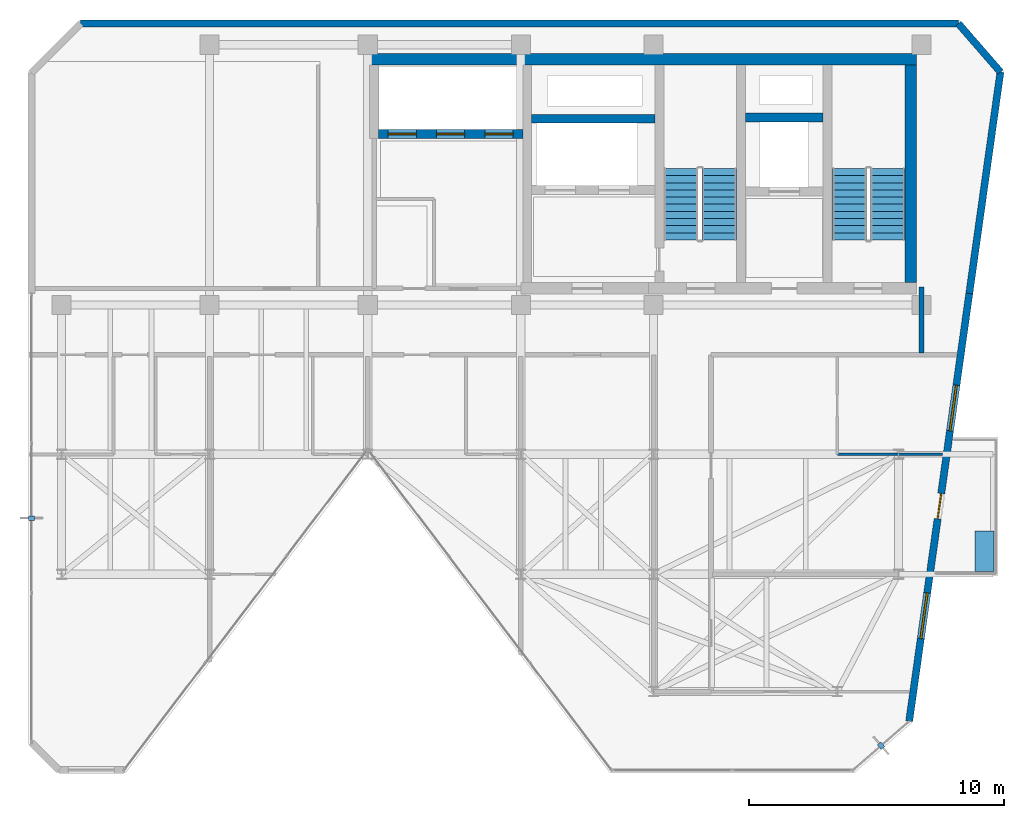
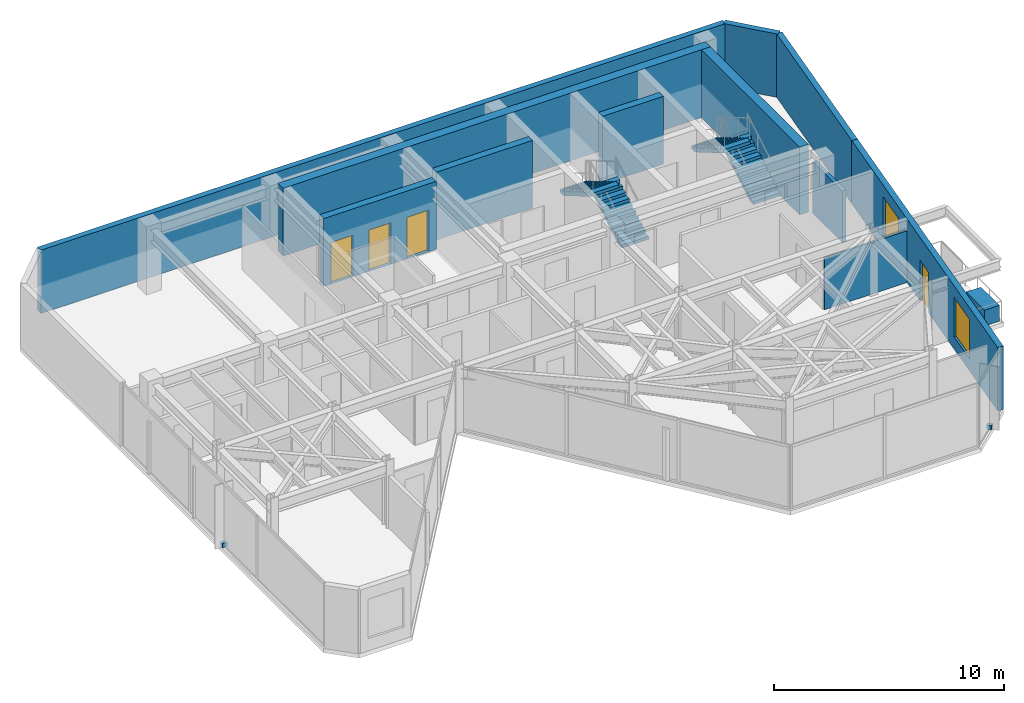
# One storey, part 15 of 17: 11 walls, 4 doors, 4 stair flights, 3 discrete accessories, 2 windows, 6 openings, 2 elements without a shape of their own.
"""IFC4 building model written with IfcOpenShell, lengths in metres."""

from ifc_helpers import new_model, si_unit, direction, frame, frame_2d, origin, origin_2d, place, context, subcontext, project, spatial, polyline, rectangle, outline, extrude, material, layer, layer_set, type_object, element, fill, aggregate, save


model = new_model("IFC4")

# Units and contexts
model_context = context("Model", 3, precision=1e-05, world=origin(), true_north=direction((0.0, 1.0)))
body_context = subcontext(model_context, "Body", "Model", "MODEL_VIEW")
ifc_project = project(units=[si_unit("LENGTHUNIT", "METRE"), si_unit("AREAUNIT", "SQUARE_METRE"), si_unit("VOLUMEUNIT", "CUBIC_METRE"), si_unit("PLANEANGLEUNIT", "RADIAN"), si_unit("MASSUNIT", "GRAM", prefix="KILO")], contexts=[model_context])

# Site, building, storey
site_placement = place(None, origin())
site = spatial("IfcSite", under=ifc_project, at=site_placement, CompositionType="ELEMENT")
building_placement = place(site_placement, origin())
building = spatial("IfcBuilding", under=site, at=building_placement, Name="Kravanh Interchange Tower", CompositionType="ELEMENT")
storey_placement = place(building_placement, frame((0.0, 0.0, 282.300048828125)))
storey = spatial("IfcBuildingStorey", under=building, at=storey_placement, Name="L69", CompositionType="ELEMENT", Elevation=282.300048828125)

# Walls
ifc_material_1 = material(Name="Concrete C60/75", Category="concrete")
ifc_layer_1 = layer(ifc_material_1, 0.35009765625)
ifc_layer_set_1 = layer_set([ifc_layer_1], Name="Core Shear Wall Concrete C60/75 350mm")
wall_type_1 = type_object("IfcWallType", Name="Core Shear Wall Concrete C60/75 350mm", PredefinedType="SHEAR", material=ifc_layer_set_1)
wall_1_placement = place(storey_placement, frame((59.60009765625, 44.699951171875, 0.0), z_axis=(0.0, 0.0, 1.0), x_axis=(1.0, 0.0, 0.0)))
element("IfcWall", 1, at=wall_1_placement, inside=storey, type_object=wall_type_1, Name="L69 Service Lift Shaft North Wall", PredefinedType="SHEAR", context=body_context, shape_type="SweptSolid", body=[
    extrude(rectangle(XDim=3.0498046875, YDim=0.35009765625, at=frame_2d((1.52490234375, 0.0))), origin(), (0.0, 0.0, 1.0), 3.599853515625),
])
wall_2_placement = place(storey_placement, frame((51.22509765625, 44.64990234375, 0.0), z_axis=(0.0, 0.0, 1.0), x_axis=(1.0, 0.0, 0.0)))
element("IfcWall", 2, at=wall_2_placement, inside=storey, type_object=wall_type_1, Name="L69 Fire Lift Shaft North Wall", PredefinedType="SHEAR", context=body_context, shape_type="SweptSolid", body=[
    extrude(rectangle(XDim=4.824951171875, YDim=0.35009765625, at=frame_2d((2.41259765625, 0.0))), origin(), (0.0, 0.0, 1.0), 3.599853515625),
])

# Wall, openings, doors
wall_3_placement = place(storey_placement, frame((45.22509765625, 44.050048828125, 0.0), z_axis=(0.0, 0.0, 1.0), x_axis=(1.0, 0.0, 0.0)))
wall_3 = element("IfcWall", 3, at=wall_3_placement, inside=storey, type_object=wall_type_1, Name="L69 High-Rise Lift Shaft South Wall", PredefinedType="SHEAR", context=body_context, shape_type="SweptSolid", body=[
    extrude(rectangle(XDim=5.64990234375, YDim=0.35009765625, at=frame_2d((2.824951171875, 0.0))), origin(), (0.0, 0.0, 1.0), 3.599853515625),
])
opening_1_placement = place(wall_3_placement, frame((0.375, 0.0, 0.0)))
opening_1 = element("IfcOpeningElement", 4, at=opening_1_placement, cuts=wall_3, Name="Opening LD01", PredefinedType="OPENING", context=body_context, shape_type="SweptSolid", body=[
    extrude(rectangle(XDim=1.10009765625, YDim=2.199951171875, at=frame_2d((0.550048828125, 1.10009765625))), frame((0.0, 0.18505859375, 0.0), z_axis=(0.0, -1.0, 0.0), x_axis=(1.0, 0.0, 0.0)), (0.0, 0.0, 1.0), 0.3701171875),
])
opening_2_placement = place(wall_3_placement, frame((2.27490234375, 0.0, 0.0)))
opening_2 = element("IfcOpeningElement", 5, at=opening_2_placement, cuts=wall_3, Name="Opening LD01", PredefinedType="OPENING", context=body_context, shape_type="SweptSolid", body=[
    extrude(rectangle(XDim=1.10009765625, YDim=2.199951171875, at=frame_2d((0.550048828125, 1.10009765625))), frame((0.0, 0.18505859375, 0.0), z_axis=(0.0, -1.0, 0.0), x_axis=(1.0, 0.0, 0.0)), (0.0, 0.0, 1.0), 0.3701171875),
])
opening_3_placement = place(wall_3_placement, frame((4.175048828125, 0.0, 0.0)))
opening_3 = element("IfcOpeningElement", 6, at=opening_3_placement, cuts=wall_3, Name="Opening LD01", PredefinedType="OPENING", context=body_context, shape_type="SweptSolid", body=[
    extrude(rectangle(XDim=1.10009765625, YDim=2.199951171875, at=frame_2d((0.550048828125, 1.10009765625))), frame((0.0, 0.18505859375, 0.0), z_axis=(0.0, -1.0, 0.0), x_axis=(1.0, 0.0, 0.0)), (0.0, 0.0, 1.0), 0.3701171875),
])
ifc_material_2 = material(Name="Stainless Steel 304", Category="steel")
door_type_1 = type_object("IfcDoorType", Name="Passenger Lift Sliding Landing Door 1100x2200", OperationType="DOUBLE_DOOR_SLIDING", PredefinedType="DOOR", material=ifc_material_2)
door_1_placement = place(opening_1_placement, origin())
door_1 = element("IfcDoor", 7, at=door_1_placement, inside=storey, type_object=door_type_1, Name="L69 Lift LP-H1 Landing Door", OperationType="DOUBLE_DOOR_SLIDING", OverallHeight=2.199951171875, OverallWidth=1.10009765625, PredefinedType="DOOR", context=body_context, shape_type="SweptSolid", body=[
    extrude(rectangle(XDim=1.10009765625, YDim=2.199951171875, at=frame_2d((0.550048828125, 1.10009765625))), frame((0.0, 0.02490234375, 0.0), z_axis=(0.0, -1.0, 0.0), x_axis=(1.0, 0.0, 0.0)), (0.0, 0.0, 1.0), 0.050048828125),
])
fill(opening_1, door_1)
door_2_placement = place(opening_2_placement, origin())
door_2 = element("IfcDoor", 8, at=door_2_placement, inside=storey, type_object=door_type_1, Name="L69 Lift LP-H2 Landing Door", OperationType="DOUBLE_DOOR_SLIDING", OverallHeight=2.199951171875, OverallWidth=1.10009765625, PredefinedType="DOOR", context=body_context, shape_type="SweptSolid", body=[
    extrude(rectangle(XDim=1.10009765625, YDim=2.199951171875, at=frame_2d((0.550048828125, 1.10009765625))), frame((0.0, 0.02490234375, 0.0), z_axis=(0.0, -1.0, 0.0), x_axis=(1.0, 0.0, 0.0)), (0.0, 0.0, 1.0), 0.050048828125),
])
fill(opening_2, door_2)
door_3_placement = place(opening_3_placement, origin())
door_3 = element("IfcDoor", 9, at=door_3_placement, inside=storey, type_object=door_type_1, Name="L69 Lift LP-H3 Landing Door", OperationType="DOUBLE_DOOR_SLIDING", OverallHeight=2.199951171875, OverallWidth=1.10009765625, PredefinedType="DOOR", context=body_context, shape_type="SweptSolid", body=[
    extrude(rectangle(XDim=1.10009765625, YDim=2.199951171875, at=frame_2d((0.550048828125, 1.10009765625))), frame((0.0, 0.02490234375, 0.0), z_axis=(0.0, -1.0, 0.0), x_axis=(1.0, 0.0, 0.0)), (0.0, 0.0, 1.0), 0.050048828125),
])
fill(opening_3, door_3)

# Walls
ifc_material_3 = material(Name="Concrete C60/75", Category="concrete")
ifc_layer_2 = layer(ifc_material_3, 0.449951171875)
ifc_layer_set_2 = layer_set([ifc_layer_2], Name="Core Shear Wall Concrete C60/75 450mm")
wall_type_2 = type_object("IfcWallType", Name="Core Shear Wall Concrete C60/75 450mm", PredefinedType="SHEAR", material=ifc_layer_set_2)
wall_4_placement = place(storey_placement, frame((44.85009765625, 46.97509765625, 0.0), z_axis=(0.0, 0.0, 1.0), x_axis=(1.0, 0.0, 0.0)))
element("IfcWall", 10, at=wall_4_placement, inside=storey, type_object=wall_type_2, Name="L69 North Core Shear Wall", PredefinedType="SHEAR", context=body_context, shape_type="SweptSolid", body=[
    extrude(rectangle(XDim=21.449951171875, YDim=0.449951171875, at=frame_2d((10.72509765625, 0.0))), origin(), (0.0, 0.0, 1.0), 3.599853515625),
])
wall_5_placement = place(storey_placement, frame((66.074951171875, 38.22509765625, 0.0), z_axis=(0.0, 0.0, 1.0), x_axis=(0.0, 1.0, 0.0)))
element("IfcWall", 11, at=wall_5_placement, inside=storey, type_object=wall_type_2, Name="L69 Stair ST1 East Shear Wall", PredefinedType="SHEAR", context=body_context, shape_type="SweptSolid", body=[
    extrude(rectangle(XDim=8.52490234375, YDim=0.449951171875, at=frame_2d((4.262451171875, 0.0))), origin(), (0.0, 0.0, 1.0), 3.599853515625),
])
ifc_material_4 = material(Name="Moisture-Resistant Gypsum Board and Mineral Wool")
ifc_layer_3 = layer(ifc_material_4, 0.10009765625)
ifc_layer_set_3 = layer_set([ifc_layer_3], Name="En-Suite Moisture-Resistant Partition 100mm")
wall_type_3 = type_object("IfcWallType", Name="En-Suite Moisture-Resistant Partition 100mm", PredefinedType="PARTITIONING", material=ifc_layer_set_3)
wall_6_placement = place(storey_placement, frame((63.199951171875, 31.5, 0.0), z_axis=(0.0, 0.0, 1.0), x_axis=(1.0, 0.0, 0.0)))
element("IfcWall", 12, at=wall_6_placement, inside=storey, type_object=wall_type_3, Name="L69 Interior Partition 18", PredefinedType="PARTITIONING", context=body_context, shape_type="SweptSolid", body=[
    extrude(rectangle(XDim=4.123046875, YDim=0.10009765625, at=frame_2d((2.0615234375, 0.0))), origin(), (0.0, 0.0, 1.0), 2.75390625),
])
ifc_material_5 = material(Name="Insulated Precast Concrete C40/50 with Bronze Cladding", Category="concrete")
ifc_layer_4 = layer(ifc_material_5, 0.280029296875)
ifc_layer_set_4 = layer_set([ifc_layer_4], Name="Exterior Insulated Concrete C40/50 Bronze Spandrel Wall 280mm")
wall_type_4 = type_object("IfcWallType", Name="Exterior Insulated Concrete C40/50 Bronze Spandrel Wall 280mm", PredefinedType="STANDARD", material=ifc_layer_set_4)
wall_7_placement = place(storey_placement, frame((33.5498046875, 48.3798828125, 0.0), z_axis=(0.0, 0.0, 1.0), x_axis=(1.0, 0.0, 0.0)))
element("IfcWall", 13, at=wall_7_placement, inside=storey, type_object=wall_type_4, Name="L69 Exterior Wall 3", PredefinedType="STANDARD", context=body_context, shape_type="SweptSolid", body=[
    extrude(rectangle(XDim=34.3955078125, YDim=0.280029296875, at=frame_2d((17.19775390625, 0.0))), origin(), (0.0, 0.0, 1.0), 3.364990234375),
])
wall_8_placement = place(storey_placement, frame((67.9453125, 48.3798828125, 0.0), z_axis=(0.0, 0.0, 1.0), x_axis=(0.656068147197, -0.75470165379, 0.0)))
element("IfcWall", 14, at=wall_8_placement, inside=storey, type_object=wall_type_4, Name="L69 Exterior Wall 4", PredefinedType="STANDARD", context=body_context, shape_type="SweptSolid", body=[
    extrude(rectangle(XDim=2.514892578125, YDim=0.280029296875, at=frame_2d((1.25732421875, 0.0))), origin(), (0.0, 0.0, 1.0), 3.364990234375),
])
wall_9_placement = place(storey_placement, frame((69.59521484375, 46.48193359375, 0.0), z_axis=(0.0, 0.0, 1.0), x_axis=(-0.139179310088, -0.990267196086, 0.0)))
element("IfcWall", 15, at=wall_9_placement, inside=storey, type_object=wall_type_4, Name="L69 Exterior Wall 5", PredefinedType="STANDARD", context=body_context, shape_type="SweptSolid", body=[
    extrude(rectangle(XDim=8.767333984375, YDim=0.280029296875, at=frame_2d((4.3837890625, 0.0))), origin(), (0.0, 0.0, 1.0), 3.364990234375),
])

# Wall, openings, door, windows
wall_10_placement = place(storey_placement, frame((68.375, 37.800048828125, 0.0), z_axis=(0.0, 0.0, 1.0), x_axis=(-0.139171056495, -0.99026835607, 0.0)))
wall_10 = element("IfcWall", 16, at=wall_10_placement, inside=storey, type_object=wall_type_4, Name="L69 Exterior Wall 6", PredefinedType="STANDARD", context=body_context, shape_type="SweptSolid", body=[
    extrude(rectangle(XDim=16.92333984375, YDim=0.280029296875, at=frame_2d((8.461669921875, 0.0))), origin(), (0.0, 0.0, 1.0), 3.364990234375),
])
opening_4_placement = place(wall_10_placement, frame((7.915283203125, 0.0, 0.0)))
opening_4 = element("IfcOpeningElement", 17, at=opening_4_placement, cuts=wall_10, Name="Opening ED-BAL100", PredefinedType="OPENING", context=body_context, shape_type="SweptSolid", body=[
    extrude(rectangle(XDim=1.0, YDim=2.14990234375, at=frame_2d((0.5, 1.074951171875))), frame((0.0, 0.14990234375, 0.0), z_axis=(0.0, -1.0, 0.0), x_axis=(1.0, 0.0, 0.0)), (0.0, 0.0, 1.0), 0.300048828125),
])
opening_5_placement = place(wall_10_placement, frame((3.6337890625, 0.0, 0.64990234375)))
opening_5 = element("IfcOpeningElement", 18, at=opening_5_placement, cuts=wall_10, Name="Opening WN-180X210", PredefinedType="OPENING", context=body_context, shape_type="SweptSolid", body=[
    extrude(rectangle(XDim=1.800048828125, YDim=2.10009765625, at=frame_2d((0.89990234375, 1.050048828125))), frame((0.0, 0.14990234375, 0.0), z_axis=(0.0, -1.0, 0.0), x_axis=(1.0, 0.0, 0.0)), (0.0, 0.0, 1.0), 0.300048828125),
])
opening_6_placement = place(wall_10_placement, frame((11.851806640625, 0.0, 0.64990234375)))
opening_6 = element("IfcOpeningElement", 19, at=opening_6_placement, cuts=wall_10, Name="Opening WN-180X210", PredefinedType="OPENING", context=body_context, shape_type="SweptSolid", body=[
    extrude(rectangle(XDim=1.800048828125, YDim=2.10009765625, at=frame_2d((0.89990234375, 1.050048828125))), frame((0.0, 0.14990234375, 0.0), z_axis=(0.0, -1.0, 0.0), x_axis=(1.0, 0.0, 0.0)), (0.0, 0.0, 1.0), 0.300048828125),
])
ifc_material_6 = material(Name="Thermally Broken Bronze Aluminium and Laminated Glass", Category="aluminium")
door_type_2 = type_object("IfcDoorType", Name="Balcony Glazed Door 1000x2150", OperationType="NOTDEFINED", PredefinedType="DOOR", material=ifc_material_6)
door_4_placement = place(opening_4_placement, origin())
door_4 = element("IfcDoor", 20, at=door_4_placement, inside=storey, type_object=door_type_2, Name="L69 E Tree Balcony Access Door", OperationType="SINGLE_SWING_LEFT", OverallHeight=2.14990234375, OverallWidth=1.0, PredefinedType="DOOR", context=body_context, shape_type="SweptSolid", body=[
    extrude(rectangle(XDim=1.0, YDim=2.14990234375, at=frame_2d((0.5, 1.074951171875))), frame((0.0, 0.02490234375, 0.0), z_axis=(0.0, -1.0, 0.0), x_axis=(1.0, 0.0, 0.0)), (0.0, 0.0, 1.0), 0.050048828125),
])
fill(opening_4, door_4)
ifc_material_7 = material(Name="Thermally Broken Bronze Aluminium and Low-E Glass", Category="aluminium")
window_type = type_object("IfcWindowType", Name="Tower Pier Window 1800x2100", PartitioningType="SINGLE_PANEL", PredefinedType="WINDOW", material=ifc_material_7)
window_1_placement = place(opening_5_placement, origin())
window_1 = element("IfcWindow", 21, at=window_1_placement, inside=storey, type_object=window_type, Name="L69 Facade Window 6A", OverallHeight=2.10009765625, OverallWidth=1.800048828125, PartitioningType="SINGLE_PANEL", PredefinedType="WINDOW", context=body_context, shape_type="SweptSolid", body=[
    extrude(rectangle(XDim=1.800048828125, YDim=2.10009765625, at=frame_2d((0.89990234375, 1.050048828125))), frame((0.0, 0.030029296875, 0.0), z_axis=(0.0, -1.0, 0.0), x_axis=(1.0, 0.0, 0.0)), (0.0, 0.0, 1.0), 0.06005859375),
])
fill(opening_5, window_1)
window_2_placement = place(opening_6_placement, origin())
window_2 = element("IfcWindow", 22, at=window_2_placement, inside=storey, type_object=window_type, Name="L69 Facade Window 6B", OverallHeight=2.10009765625, OverallWidth=1.800048828125, PartitioningType="SINGLE_PANEL", PredefinedType="WINDOW", context=body_context, shape_type="SweptSolid", body=[
    extrude(rectangle(XDim=1.800048828125, YDim=2.10009765625, at=frame_2d((0.89990234375, 1.050048828125))), frame((0.0, 0.030029296875, 0.0), z_axis=(0.0, -1.0, 0.0), x_axis=(1.0, 0.0, 0.0)), (0.0, 0.0, 1.0), 0.06005859375),
])
fill(opening_6, window_2)

# Wall
ifc_material_8 = material(Name="Autoclaved Aerated Concrete C30/37 Blockwork", Category="masonry")
ifc_layer_5 = layer(ifc_material_8, 0.179931640625)
ifc_layer_set_5 = layer_set([ifc_layer_5], Name="Fire-Rated Lobby and Corridor Wall Concrete C30/37 180mm")
wall_type_5 = type_object("IfcWallType", Name="Fire-Rated Lobby and Corridor Wall Concrete C30/37 180mm", PredefinedType="STANDARD", material=ifc_layer_set_5)
wall_11_placement = place(storey_placement, frame((66.5, 35.468017578125, 0.0), z_axis=(0.0, 0.0, 1.0), x_axis=(0.0, 1.0, 0.0)))
element("IfcWall", 23, at=wall_11_placement, inside=storey, type_object=wall_type_5, Name="L69 Interior Partition 10", PredefinedType="STANDARD", context=body_context, shape_type="SweptSolid", body=[
    extrude(rectangle(XDim=2.58203125, YDim=0.179931640625, at=frame_2d((1.291015625, 0.0))), origin(), (0.0, 0.0, 1.0), 2.75390625),
])

# Stair, stair flights
ifc_material_9 = material(Name="Concrete C50/60", Category="concrete")
stair_type = type_object("IfcStairType", Name="Core Fire Exit Dogleg Stair Concrete C50/60", PredefinedType="HALF_TURN_STAIR", material=ifc_material_9)
stair_1_placement = place(storey_placement, origin())
stair_1 = element("IfcStair", 24, at=stair_1_placement, inside=storey, type_object=stair_type, Name="L69 Exit Stair ST1", PredefinedType="HALF_TURN_STAIR")
ifc_material_10 = material(Name="Precast Concrete C50/60", Category="concrete")
ifc_layer_6 = layer(ifc_material_10, 0.199951171875)
ifc_layer_set_6 = layer_set([ifc_layer_6], Name="Precast Concrete C50/60 Stair Flight 1350mm")
stair_flight_type = type_object("IfcStairFlightType", Name="Precast Concrete C50/60 Stair Flight 1350mm", PredefinedType="STRAIGHT", material=ifc_layer_set_6)
stair_flight_1_placement = place(storey_placement, frame((65.175048828125, 39.89990234375, 0.0), z_axis=(0.0, 0.0, 1.0), x_axis=(0.0, 1.0, 0.0)))
stair_flight_1 = element("IfcStairFlight", 25, at=stair_flight_1_placement, type_object=stair_flight_type, Name="ST1 flight 1", NumberOfRisers=11, NumberOfTreads=10, PredefinedType="STRAIGHT", RiserHeight=0.163636364, TreadLength=0.28, context=body_context, shape_type="SweptSolid", body=[
    extrude(outline(polyline([(0.0, 0.0), (0.0, 0.16357421875), (0.280029296875, 0.16357421875), (0.280029296875, 0.327392578125), (0.56005859375, 0.327392578125), (0.56005859375, 0.490966796875), (0.840087890625, 0.490966796875), (0.840087890625, 0.654541015625), (1.1201171875, 0.654541015625), (1.1201171875, 0.818115234375), (1.39990234375, 0.818115234375), (1.39990234375, 0.98193359375), (1.679931640625, 0.98193359375), (1.679931640625, 1.1455078125), (1.9599609375, 1.1455078125), (1.9599609375, 1.30908203125), (2.239990234375, 1.30908203125), (2.239990234375, 1.47265625), (2.52001953125, 1.47265625), (2.52001953125, 1.636474609375), (2.800048828125, 1.636474609375), (2.800048828125, 1.800048828125), (2.800048828125, 1.462646484375), (0.297119140625, 0.0), (0.0, 0.0)])), frame((0.0, 0.675048828125, 0.0), z_axis=(0.0, -1.0, 0.0), x_axis=(1.0, 0.0, 0.0)), (0.0, 0.0, 1.0), 1.35009765625),
])
stair_flight_2_placement = place(storey_placement, frame((63.675048828125, 42.699951171875, 1.800048828125), z_axis=(0.0, 0.0, 1.0), x_axis=(0.0, -1.0, 0.0)))
stair_flight_2 = element("IfcStairFlight", 26, at=stair_flight_2_placement, type_object=stair_flight_type, Name="ST1 flight 2", NumberOfRisers=11, NumberOfTreads=10, PredefinedType="STRAIGHT", RiserHeight=0.163636364, TreadLength=0.28, context=body_context, shape_type="SweptSolid", body=[
    extrude(outline(polyline([(0.0, 0.0), (0.0, 0.16357421875), (0.280029296875, 0.16357421875), (0.280029296875, 0.327392578125), (0.56005859375, 0.327392578125), (0.56005859375, 0.490966796875), (0.840087890625, 0.490966796875), (0.840087890625, 0.654541015625), (1.1201171875, 0.654541015625), (1.1201171875, 0.818115234375), (1.39990234375, 0.818115234375), (1.39990234375, 0.98193359375), (1.679931640625, 0.98193359375), (1.679931640625, 1.1455078125), (1.9599609375, 1.1455078125), (1.9599609375, 1.30908203125), (2.239990234375, 1.30908203125), (2.239990234375, 1.47265625), (2.52001953125, 1.47265625), (2.52001953125, 1.636474609375), (2.800048828125, 1.636474609375), (2.800048828125, 1.800048828125), (2.800048828125, 1.462646484375), (0.297119140625, 0.0), (0.0, 0.0)])), frame((0.0, 0.675048828125, 0.0), z_axis=(0.0, -1.0, 0.0), x_axis=(1.0, 0.0, 0.0)), (0.0, 0.0, 1.0), 1.35009765625),
])
aggregate(stair_1, [stair_flight_1, stair_flight_2])

stair_2_placement = place(storey_placement, origin())
stair_2 = element("IfcStair", 27, at=stair_2_placement, inside=storey, type_object=stair_type, Name="L69 Exit Stair ST2", PredefinedType="HALF_TURN_STAIR")
stair_flight_3_placement = place(storey_placement, frame((58.574951171875, 39.89990234375, 0.0), z_axis=(0.0, 0.0, 1.0), x_axis=(0.0, 1.0, 0.0)))
stair_flight_3 = element("IfcStairFlight", 28, at=stair_flight_3_placement, type_object=stair_flight_type, Name="ST2 flight 1", NumberOfRisers=11, NumberOfTreads=10, PredefinedType="STRAIGHT", RiserHeight=0.163636364, TreadLength=0.28, context=body_context, shape_type="SweptSolid", body=[
    extrude(outline(polyline([(0.0, 0.0), (0.0, 0.16357421875), (0.280029296875, 0.16357421875), (0.280029296875, 0.327392578125), (0.56005859375, 0.327392578125), (0.56005859375, 0.490966796875), (0.840087890625, 0.490966796875), (0.840087890625, 0.654541015625), (1.1201171875, 0.654541015625), (1.1201171875, 0.818115234375), (1.39990234375, 0.818115234375), (1.39990234375, 0.98193359375), (1.679931640625, 0.98193359375), (1.679931640625, 1.1455078125), (1.9599609375, 1.1455078125), (1.9599609375, 1.30908203125), (2.239990234375, 1.30908203125), (2.239990234375, 1.47265625), (2.52001953125, 1.47265625), (2.52001953125, 1.636474609375), (2.800048828125, 1.636474609375), (2.800048828125, 1.800048828125), (2.800048828125, 1.462646484375), (0.297119140625, 0.0), (0.0, 0.0)])), frame((0.0, 0.675048828125, 0.0), z_axis=(0.0, -1.0, 0.0), x_axis=(1.0, 0.0, 0.0)), (0.0, 0.0, 1.0), 1.35009765625),
])
stair_flight_4_placement = place(storey_placement, frame((57.074951171875, 42.699951171875, 1.800048828125), z_axis=(0.0, 0.0, 1.0), x_axis=(0.0, -1.0, 0.0)))
stair_flight_4 = element("IfcStairFlight", 29, at=stair_flight_4_placement, type_object=stair_flight_type, Name="ST2 flight 2", NumberOfRisers=11, NumberOfTreads=10, PredefinedType="STRAIGHT", RiserHeight=0.163636364, TreadLength=0.28, context=body_context, shape_type="SweptSolid", body=[
    extrude(outline(polyline([(0.0, 0.0), (0.0, 0.16357421875), (0.280029296875, 0.16357421875), (0.280029296875, 0.327392578125), (0.56005859375, 0.327392578125), (0.56005859375, 0.490966796875), (0.840087890625, 0.490966796875), (0.840087890625, 0.654541015625), (1.1201171875, 0.654541015625), (1.1201171875, 0.818115234375), (1.39990234375, 0.818115234375), (1.39990234375, 0.98193359375), (1.679931640625, 0.98193359375), (1.679931640625, 1.1455078125), (1.9599609375, 1.1455078125), (1.9599609375, 1.30908203125), (2.239990234375, 1.30908203125), (2.239990234375, 1.47265625), (2.52001953125, 1.47265625), (2.52001953125, 1.636474609375), (2.800048828125, 1.636474609375), (2.800048828125, 1.800048828125), (2.800048828125, 1.462646484375), (0.297119140625, 0.0), (0.0, 0.0)])), frame((0.0, 0.675048828125, 0.0), z_axis=(0.0, -1.0, 0.0), x_axis=(1.0, 0.0, 0.0)), (0.0, 0.0, 1.0), 1.35009765625),
])
aggregate(stair_2, [stair_flight_3, stair_flight_4])

# Discrete accessories
ifc_material_11 = material(Name="Stainless Steel 316", Category="steel")
discrete_accessory_type_1 = type_object("IfcDiscreteAccessoryType", Name="Solar Fin Curtain-Wall Mounting Bracket Stainless 316", PredefinedType="BRACKET", material=ifc_material_11)
for number, where, z_axis, x_axis, name in (
    (30, (31.6201171875, 28.994873046875, 0.0), (0.0, 0.0, 1.0), (-1.0, 0.0, 0.0), "L69 Solar Fin Mounting Bracket 1"),
    (31, (64.91455078125, 20.080810546875, 0.0), (0.0, 0.0, 1.0), (0.656043386928, -0.754723177376, 0.0), "L69 Solar Fin Mounting Bracket 2"),
):
    element("IfcDiscreteAccessory", number, at=place(storey_placement, frame(where, z_axis=z_axis, x_axis=x_axis)), inside=storey, type_object=discrete_accessory_type_1, Name=name, PredefinedType="BRACKET", context=body_context, shape_type="SweptSolid", body=[
        extrude(rectangle(XDim=0.239990234375, YDim=0.179931640625, at=origin_2d()), origin(), (0.0, 0.0, 1.0), 0.219970703125),
    ])
ifc_material_12 = material(Name="Architectural GRC Concrete C40/50 with Root Barrier", Category="concrete")
discrete_accessory_type_2 = type_object("IfcDiscreteAccessoryType", Name="Structural Balcony Tree Planter Box Concrete C40/50 1600x750x850", PredefinedType="USERDEFINED", material=ifc_material_12)
discrete_accessory_placement = place(storey_placement, frame((68.969970703125, 27.699951171875, 0.0), z_axis=(0.0, 0.0, 1.0), x_axis=(1.0, 0.0, 0.0)))
element("IfcDiscreteAccessory", 32, at=discrete_accessory_placement, inside=storey, type_object=discrete_accessory_type_2, Name="L69 E Balcony TREE PLANTER", ObjectType="PLANTER", PredefinedType="USERDEFINED", context=body_context, shape_type="SweptSolid", body=[
    extrude(rectangle(XDim=0.75, YDim=1.60009765625, at=origin_2d()), origin(), (0.0, 0.0, 1.0), 0.85009765625),
])

save(model, "model.ifc")
